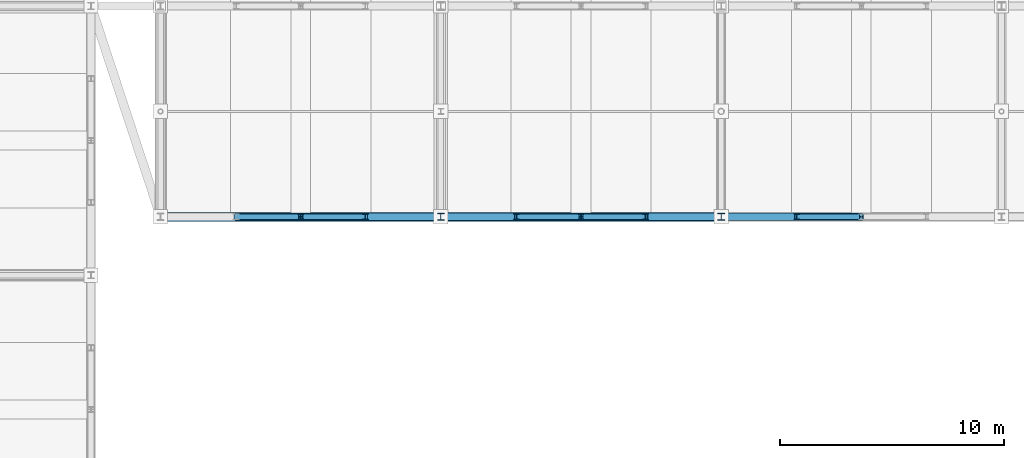
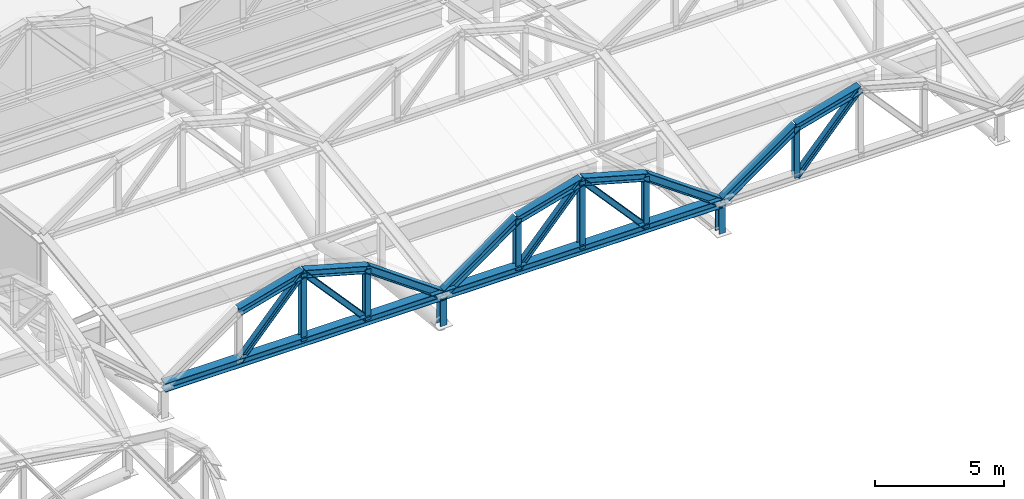
# One storey, part 44 of 117: 24 members.
"""IFC4 building model written with IfcOpenShell, lengths in metres."""

from ifc_helpers import new_model, si_unit, direction, frame, origin, origin_2d, place, context, subcontext, project, spatial, i_section, extrude, material, material_profile, profile_set, type_object, element, save


model = new_model("IFC4")

# Units and contexts
model_context = context("Model", 3, precision=1e-05, world=origin(), true_north=direction((0.0, 1.0)))
body_context = subcontext(model_context, "Body", "Model", "MODEL_VIEW")
ifc_project = project(units=[si_unit("LENGTHUNIT", "METRE"), si_unit("AREAUNIT", "SQUARE_METRE"), si_unit("VOLUMEUNIT", "CUBIC_METRE"), si_unit("PLANEANGLEUNIT", "RADIAN"), si_unit("MASSUNIT", "GRAM", prefix="KILO")], contexts=[model_context])

# Site, building, storey
site_placement = place(None, origin())
site = spatial("IfcSite", under=ifc_project, at=site_placement, CompositionType="ELEMENT")
building_placement = place(site_placement, origin())
building = spatial("IfcBuilding", under=site, at=building_placement, Name="Kazenohara Klinker Stadium", CompositionType="ELEMENT")
storey_placement = place(building_placement, frame((0.0, 0.0, 31.199951171875)))
storey = spatial("IfcBuildingStorey", under=building, at=storey_placement, Name="RF", CompositionType="ELEMENT", Elevation=31.199951171875)

# Members
ifc_material = material(Name="Steel S355", Category="steel")
ifc_material_profile_1 = material_profile(ifc_material, i_section(OverallWidth=0.39990234375, OverallDepth=0.39990234375, WebThickness=0.012939453125, FlangeThickness=0.02099609375, FilletRadius=0.02197265625, at=origin_2d()), Name="H-400x400x13x21")
ifc_profile_set_1 = profile_set([ifc_material_profile_1], Name="Steel S355")
member_type_1 = type_object("IfcMemberType", Name="MEM-CHD01", PredefinedType="CHORD", material=ifc_profile_set_1)
for number, where, z_axis, x_axis, name in (
    (1, (61.5, 122.60009765625, 3.300048828125), (1.0, 0.0, 0.0), (0.0, 1.0, 0.0), "Inner tension ring chord TC01 segment 09"),
    (2, (74.0, 122.60009765625, 3.300048828125), (1.0, 0.0, 0.0), (0.0, 1.0, 0.0), "Inner tension ring chord TC01 segment 10"),
):
    element("IfcMember", number, at=place(storey_placement, frame(where, z_axis=z_axis, x_axis=x_axis)), inside=storey, type_object=member_type_1, Name=name, PredefinedType="CHORD", context=body_context, shape_type="SweptSolid", body=[
        extrude(i_section(OverallWidth=0.39990234375, OverallDepth=0.39990234375, WebThickness=0.012939453125, FlangeThickness=0.02099609375, FilletRadius=0.02197265625, at=origin_2d()), origin(), (0.0, 0.0, 1.0), 12.5),
    ])
ifc_material_profile_2 = material_profile(ifc_material, i_section(OverallWidth=0.35009765625, OverallDepth=0.35009765625, WebThickness=0.011962890625, FlangeThickness=0.01904296875, FilletRadius=0.012939453125, at=origin_2d()), Name="H-350x350x12x19")
ifc_profile_set_2 = profile_set([ifc_material_profile_2], Name="Steel S355")
member_type_2 = type_object("IfcMemberType", Name="MEM-CHD02", PredefinedType="CHORD", material=ifc_profile_set_2)
for number, where, z_axis, x_axis, name in (
    (3, (64.875, 122.60009765625, 5.699951171875), (0.963393567269, 0.0, 0.268091093745), (0.0, 1.0, 0.0), "Barrel arch top rib TC02 N-01-N5-S2"),
    (4, (67.75, 122.60009765625, 6.5), (0.963393567269, 0.0, -0.268091093745), (0.0, 1.0, 0.0), "Barrel arch top rib TC02 N-01-N5-S3"),
):
    element("IfcMember", number, at=place(storey_placement, frame(where, z_axis=z_axis, x_axis=x_axis)), inside=storey, type_object=member_type_2, Name=name, PredefinedType="CHORD", context=body_context, shape_type="SweptSolid", body=[
        extrude(i_section(OverallWidth=0.35009765625, OverallDepth=0.35009765625, WebThickness=0.011962890625, FlangeThickness=0.01904296875, FilletRadius=0.012939453125, at=origin_2d()), origin(), (0.0, 0.0, 1.0), 2.984130859375),
    ])
for number, where, z_axis, x_axis, name in (
    (5, (70.625, 122.60009765625, 5.699951171875), (0.814966461491, 0.0, -0.579508124744), (0.0, 1.0, 0.0), "Barrel arch top rib TC02 N-01-N5-S4"),
    (6, (74.0, 122.60009765625, 3.300048828125), (0.814966461491, 0.0, 0.579508124744), (0.0, 1.0, 0.0), "Barrel arch top rib TC02 N-02-N5-S1"),
):
    element("IfcMember", number, at=place(storey_placement, frame(where, z_axis=z_axis, x_axis=x_axis)), inside=storey, type_object=member_type_2, Name=name, PredefinedType="CHORD", context=body_context, shape_type="SweptSolid", body=[
        extrude(i_section(OverallWidth=0.35009765625, OverallDepth=0.35009765625, WebThickness=0.011962890625, FlangeThickness=0.01904296875, FilletRadius=0.012939453125, at=origin_2d()), origin(), (0.0, 0.0, 1.0), 4.141357421875),
    ])
for number, where, z_axis, x_axis, name in (
    (7, (77.375, 122.60009765625, 5.699951171875), (0.963393567269, 0.0, 0.268091093745), (0.0, 1.0, 0.0), "Barrel arch top rib TC02 N-02-N5-S2"),
    (8, (80.25, 122.60009765625, 6.5), (0.963393567269, 0.0, -0.268091093745), (0.0, 1.0, 0.0), "Barrel arch top rib TC02 N-02-N5-S3"),
):
    element("IfcMember", number, at=place(storey_placement, frame(where, z_axis=z_axis, x_axis=x_axis)), inside=storey, type_object=member_type_2, Name=name, PredefinedType="CHORD", context=body_context, shape_type="SweptSolid", body=[
        extrude(i_section(OverallWidth=0.35009765625, OverallDepth=0.35009765625, WebThickness=0.011962890625, FlangeThickness=0.01904296875, FilletRadius=0.012939453125, at=origin_2d()), origin(), (0.0, 0.0, 1.0), 2.984130859375),
    ])
for number, where, z_axis, x_axis, name in (
    (9, (83.125, 122.60009765625, 5.699951171875), (0.814966461491, 0.0, -0.579508124744), (0.0, 1.0, 0.0), "Barrel arch top rib TC02 N-02-N5-S4"),
    (10, (86.5, 122.60009765625, 3.300048828125), (0.814966461491, 0.0, 0.579508124744), (0.0, 1.0, 0.0), "Barrel arch top rib TC02 N-03-N5-S1"),
):
    element("IfcMember", number, at=place(storey_placement, frame(where, z_axis=z_axis, x_axis=x_axis)), inside=storey, type_object=member_type_2, Name=name, PredefinedType="CHORD", context=body_context, shape_type="SweptSolid", body=[
        extrude(i_section(OverallWidth=0.35009765625, OverallDepth=0.35009765625, WebThickness=0.011962890625, FlangeThickness=0.01904296875, FilletRadius=0.012939453125, at=origin_2d()), origin(), (0.0, 0.0, 1.0), 4.141357421875),
    ])
member_1_placement = place(storey_placement, frame((89.875, 122.60009765625, 5.699951171875), z_axis=(0.963393567269, 0.0, 0.268091093745), x_axis=(0.0, 1.0, 0.0)))
element("IfcMember", 11, at=member_1_placement, inside=storey, type_object=member_type_2, Name="Barrel arch top rib TC02 N-03-N5-S2", PredefinedType="CHORD", context=body_context, shape_type="SweptSolid", body=[
    extrude(i_section(OverallWidth=0.35009765625, OverallDepth=0.35009765625, WebThickness=0.011962890625, FlangeThickness=0.01904296875, FilletRadius=0.012939453125, at=origin_2d()), origin(), (0.0, 0.0, 1.0), 2.984130859375),
])
ifc_material_profile_3 = material_profile(ifc_material, i_section(OverallWidth=0.300048828125, OverallDepth=0.300048828125, WebThickness=0.010009765625, FlangeThickness=0.014892578125, FilletRadius=0.012939453125, at=origin_2d()), Name="H-300x300x10x15")
ifc_profile_set_3 = profile_set([ifc_material_profile_3], Name="Steel S355")
member_type_3 = type_object("IfcMemberType", Name="MEM-STR01", PredefinedType="STRUT", material=ifc_profile_set_3)
for number, where, z_axis, x_axis, name in (
    (12, (74.0, 122.60009765625, 1.85009765625), (0.0, 0.0, 1.0), (1.0, 0.0, 0.0), "ROOF TRUSS RT-N02 web post 6"),
    (13, (86.5, 122.60009765625, 1.85009765625), (0.0, 0.0, 1.0), (1.0, 0.0, 0.0), "ROOF TRUSS RT-N03 web post 6"),
):
    element("IfcMember", number, at=place(storey_placement, frame(where, z_axis=z_axis, x_axis=x_axis)), inside=storey, type_object=member_type_3, Name=name, PredefinedType="STRUT", context=body_context, shape_type="SweptSolid", body=[
        extrude(i_section(OverallWidth=0.300048828125, OverallDepth=0.300048828125, WebThickness=0.010009765625, FlangeThickness=0.014892578125, FilletRadius=0.012939453125, at=origin_2d()), origin(), (0.0, 0.0, 1.0), 1.449951171875),
    ])
ifc_material_profile_4 = material_profile(ifc_material, i_section(OverallWidth=0.25, OverallDepth=0.25, WebThickness=0.009033203125, FlangeThickness=0.013916015625, FilletRadius=0.012939453125, at=origin_2d()), Name="H-250x250x9x14")
ifc_profile_set_4 = profile_set([ifc_material_profile_4], Name="Steel S355")
member_type_4 = type_object("IfcMemberType", Name="MEM-STR02", PredefinedType="STRUT", material=ifc_profile_set_4)
member_2_placement = place(storey_placement, frame((67.75, 122.60009765625, 3.300048828125), z_axis=(0.0, 0.0, 1.0), x_axis=(1.0, 0.0, 0.0)))
element("IfcMember", 14, at=member_2_placement, inside=storey, type_object=member_type_4, Name="Barrel arch web post TS02 N-01-N5-P2", PredefinedType="STRUT", context=body_context, shape_type="SweptSolid", body=[
    extrude(i_section(OverallWidth=0.25, OverallDepth=0.25, WebThickness=0.009033203125, FlangeThickness=0.013916015625, FilletRadius=0.012939453125, at=origin_2d()), origin(), (0.0, 0.0, 1.0), 3.199951171875),
])
member_3_placement = place(storey_placement, frame((70.625, 122.60009765625, 3.300048828125), z_axis=(0.0, 0.0, 1.0), x_axis=(1.0, 0.0, 0.0)))
element("IfcMember", 15, at=member_3_placement, inside=storey, type_object=member_type_4, Name="Barrel arch web post TS02 N-01-N5-P3", PredefinedType="STRUT", context=body_context, shape_type="SweptSolid", body=[
    extrude(i_section(OverallWidth=0.25, OverallDepth=0.25, WebThickness=0.009033203125, FlangeThickness=0.013916015625, FilletRadius=0.012939453125, at=origin_2d()), origin(), (0.0, 0.0, 1.0), 2.39990234375),
])
for number, where, z_axis, x_axis, name in (
    (16, (64.875, 122.60009765625, 3.300048828125), (0.668327970369, 0.0, 0.74386673808), (0.0, 1.0, 0.0), "Barrel arch web diagonal TS02 N-01-N5-D1"),
    (17, (70.625, 122.60009765625, 3.300048828125), (-0.668327970369, 0.0, 0.74386673808), (0.0, -1.0, 0.0), "Barrel arch web diagonal TS02 N-01-N5-D2"),
):
    element("IfcMember", number, at=place(storey_placement, frame(where, z_axis=z_axis, x_axis=x_axis)), inside=storey, type_object=member_type_4, Name=name, PredefinedType="STRUT", context=body_context, shape_type="SweptSolid", body=[
        extrude(i_section(OverallWidth=0.25, OverallDepth=0.25, WebThickness=0.009033203125, FlangeThickness=0.013916015625, FilletRadius=0.012939453125, at=origin_2d()), origin(), (0.0, 0.0, 1.0), 4.3017578125),
    ])
member_4_placement = place(storey_placement, frame((77.375, 122.60009765625, 3.300048828125), z_axis=(0.0, 0.0, 1.0), x_axis=(1.0, 0.0, 0.0)))
element("IfcMember", 18, at=member_4_placement, inside=storey, type_object=member_type_4, Name="Barrel arch web post TS02 N-02-N5-P1", PredefinedType="STRUT", context=body_context, shape_type="SweptSolid", body=[
    extrude(i_section(OverallWidth=0.25, OverallDepth=0.25, WebThickness=0.009033203125, FlangeThickness=0.013916015625, FilletRadius=0.012939453125, at=origin_2d()), origin(), (0.0, 0.0, 1.0), 2.39990234375),
])
member_5_placement = place(storey_placement, frame((80.25, 122.60009765625, 3.300048828125), z_axis=(0.0, 0.0, 1.0), x_axis=(1.0, 0.0, 0.0)))
element("IfcMember", 19, at=member_5_placement, inside=storey, type_object=member_type_4, Name="Barrel arch web post TS02 N-02-N5-P2", PredefinedType="STRUT", context=body_context, shape_type="SweptSolid", body=[
    extrude(i_section(OverallWidth=0.25, OverallDepth=0.25, WebThickness=0.009033203125, FlangeThickness=0.013916015625, FilletRadius=0.012939453125, at=origin_2d()), origin(), (0.0, 0.0, 1.0), 3.199951171875),
])
member_6_placement = place(storey_placement, frame((83.125, 122.60009765625, 3.300048828125), z_axis=(0.0, 0.0, 1.0), x_axis=(1.0, 0.0, 0.0)))
element("IfcMember", 20, at=member_6_placement, inside=storey, type_object=member_type_4, Name="Barrel arch web post TS02 N-02-N5-P3", PredefinedType="STRUT", context=body_context, shape_type="SweptSolid", body=[
    extrude(i_section(OverallWidth=0.25, OverallDepth=0.25, WebThickness=0.009033203125, FlangeThickness=0.013916015625, FilletRadius=0.012939453125, at=origin_2d()), origin(), (0.0, 0.0, 1.0), 2.39990234375),
])
for number, where, z_axis, x_axis, name in (
    (21, (77.375, 122.60009765625, 3.300048828125), (0.668327970369, 0.0, 0.74386673808), (0.0, 1.0, 0.0), "Barrel arch web diagonal TS02 N-02-N5-D1"),
    (22, (83.125, 122.60009765625, 3.300048828125), (-0.668327970369, 0.0, 0.74386673808), (0.0, -1.0, 0.0), "Barrel arch web diagonal TS02 N-02-N5-D2"),
):
    element("IfcMember", number, at=place(storey_placement, frame(where, z_axis=z_axis, x_axis=x_axis)), inside=storey, type_object=member_type_4, Name=name, PredefinedType="STRUT", context=body_context, shape_type="SweptSolid", body=[
        extrude(i_section(OverallWidth=0.25, OverallDepth=0.25, WebThickness=0.009033203125, FlangeThickness=0.013916015625, FilletRadius=0.012939453125, at=origin_2d()), origin(), (0.0, 0.0, 1.0), 4.3017578125),
    ])
member_7_placement = place(storey_placement, frame((89.875, 122.60009765625, 3.300048828125), z_axis=(0.0, 0.0, 1.0), x_axis=(1.0, 0.0, 0.0)))
element("IfcMember", 23, at=member_7_placement, inside=storey, type_object=member_type_4, Name="Barrel arch web post TS02 N-03-N5-P1", PredefinedType="STRUT", context=body_context, shape_type="SweptSolid", body=[
    extrude(i_section(OverallWidth=0.25, OverallDepth=0.25, WebThickness=0.009033203125, FlangeThickness=0.013916015625, FilletRadius=0.012939453125, at=origin_2d()), origin(), (0.0, 0.0, 1.0), 2.39990234375),
])
member_8_placement = place(storey_placement, frame((89.875, 122.60009765625, 3.300048828125), z_axis=(0.668327970369, 0.0, 0.74386673808), x_axis=(0.0, 1.0, 0.0)))
element("IfcMember", 24, at=member_8_placement, inside=storey, type_object=member_type_4, Name="Barrel arch web diagonal TS02 N-03-N5-D1", PredefinedType="STRUT", context=body_context, shape_type="SweptSolid", body=[
    extrude(i_section(OverallWidth=0.25, OverallDepth=0.25, WebThickness=0.009033203125, FlangeThickness=0.013916015625, FilletRadius=0.012939453125, at=origin_2d()), origin(), (0.0, 0.0, 1.0), 4.3017578125),
])

save(model, "model.ifc")
